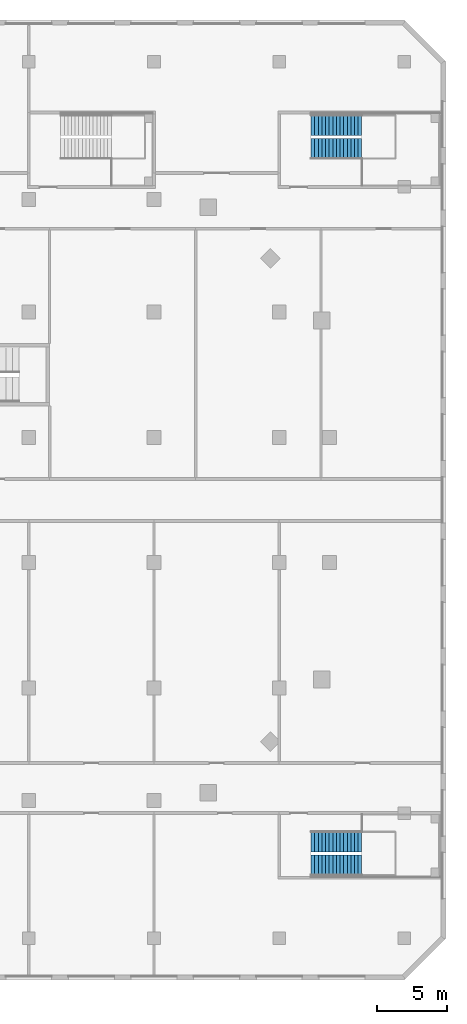
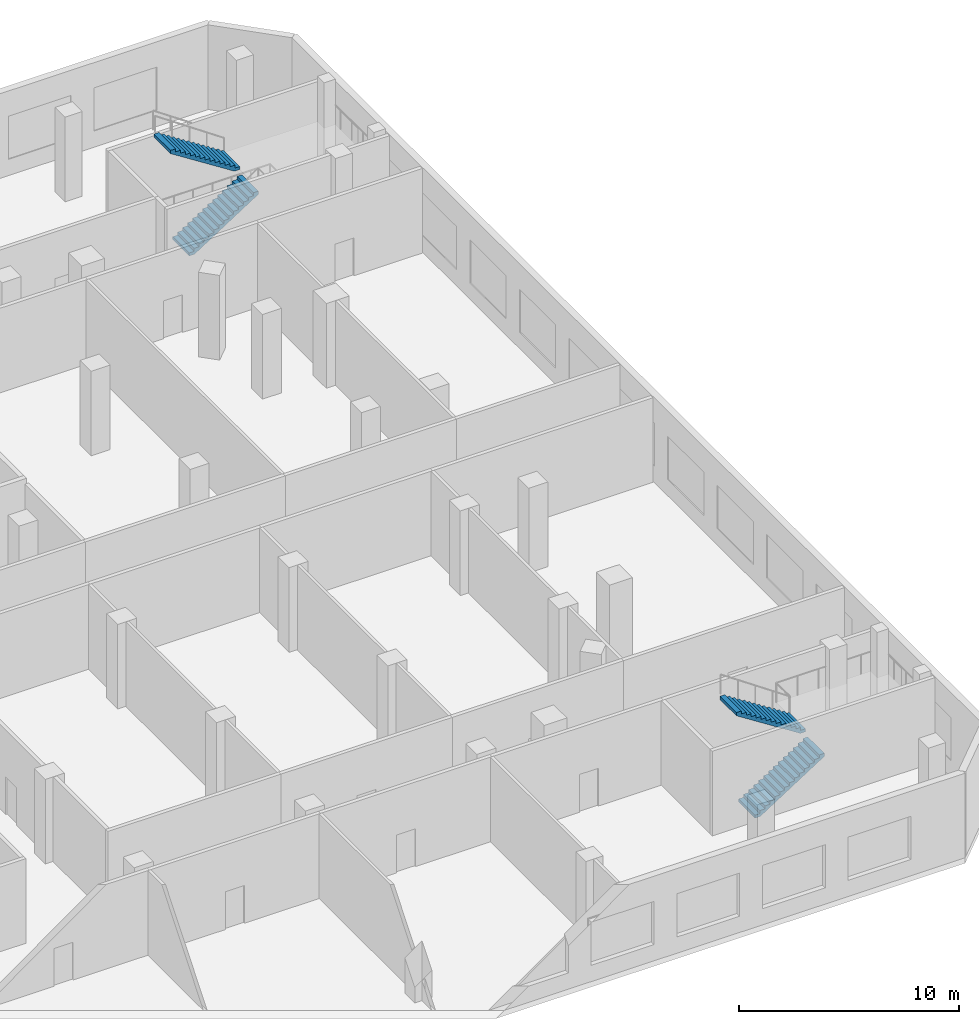
# One storey, part 16 of 21: 4 stair flights, 2 elements without a shape of their own.
"""IFC4 building model written with IfcOpenShell, lengths in metres."""

from ifc_helpers import new_model, si_unit, direction, frame, origin, place, context, subcontext, project, spatial, polyline, outline, extrude, material, type_object, element, aggregate, save


model = new_model("IFC4")

# Units and contexts
model_context = context("Model", 3, precision=1e-05, world=origin(), true_north=direction((0.0, 1.0)))
body_context = subcontext(model_context, "Body", "Model", "MODEL_VIEW")
ifc_project = project(units=[si_unit("LENGTHUNIT", "METRE"), si_unit("AREAUNIT", "SQUARE_METRE"), si_unit("VOLUMEUNIT", "CUBIC_METRE"), si_unit("PLANEANGLEUNIT", "RADIAN"), si_unit("MASSUNIT", "GRAM", prefix="KILO")], contexts=[model_context])

# Site, building, storey
site_placement = place(None, origin())
site = spatial("IfcSite", under=ifc_project, at=site_placement, CompositionType="ELEMENT")
building_placement = place(site_placement, origin())
building = spatial("IfcBuilding", under=site, at=building_placement, Name="Cinnabar Reach Civic Tower", CompositionType="ELEMENT")
storey_placement = place(building_placement, frame((0.0, 0.0, 11.0)))
storey = spatial("IfcBuildingStorey", under=building, at=storey_placement, Name="L02", CompositionType="ELEMENT", Elevation=11.0)

# Stair, stair flights
ifc_material = material(Name="Concrete C35", Category="concrete")
stair_type = type_object("IfcStairType", Name="Podium exit stair 1500", PredefinedType="HALF_TURN_STAIR", material=ifc_material)
stair_1_placement = place(storey_placement, origin())
stair_1 = element("IfcStair", 1, at=stair_1_placement, inside=storey, type_object=stair_type, Name="Stair PS4", PredefinedType="HALF_TURN_STAIR")
stair_flight_type = type_object("IfcStairFlightType", Name="Podium exit stair flight 1500", PredefinedType="STRAIGHT", material=ifc_material)
stair_flight_1_placement = place(storey_placement, frame((56.29, -3.75, 0.0), z_axis=(0.0, 0.0, 1.0), x_axis=(1.0, 0.0, 0.0)))
stair_flight_1 = element("IfcStairFlight", 2, at=stair_flight_1_placement, type_object=stair_flight_type, Name="PS4 flight 1", NumberOfRisers=15, NumberOfTreads=14, PredefinedType="STRAIGHT", RiserHeight=0.166666667, TreadLength=0.26, context=body_context, shape_type="SweptSolid", body=[
    extrude(outline(polyline([(0.0, 0.0), (0.0, 0.1667), (0.26, 0.1667), (0.26, 0.3333), (0.52, 0.3333), (0.52, 0.5), (0.78, 0.5), (0.78, 0.6667), (1.04, 0.6667), (1.04, 0.8333), (1.3, 0.8333), (1.3, 1.0), (1.56, 1.0), (1.56, 1.1667), (1.82, 1.1667), (1.82, 1.3333), (2.08, 1.3333), (2.08, 1.5), (2.34, 1.5), (2.34, 1.6667), (2.6, 1.6667), (2.6, 1.8333), (2.86, 1.8333), (2.86, 2.0), (3.12, 2.0), (3.12, 2.1667), (3.38, 2.1667), (3.38, 2.3333), (3.64, 2.3333), (3.64, 2.5), (3.64, 2.1552), (0.2779, 0.0), (0.0, 0.0)])), frame((0.0, 0.75, 0.0), z_axis=(0.0, -1.0, 0.0), x_axis=(1.0, 0.0, 0.0)), (0.0, 0.0, 1.0), 1.5),
])
stair_flight_2_placement = place(storey_placement, frame((59.93, -2.05, 2.5), z_axis=(0.0, 0.0, 1.0), x_axis=(-1.0, 0.0, 0.0)))
stair_flight_2 = element("IfcStairFlight", 3, at=stair_flight_2_placement, type_object=stair_flight_type, Name="PS4 flight 2", NumberOfRisers=15, NumberOfTreads=14, PredefinedType="STRAIGHT", RiserHeight=0.166666667, TreadLength=0.26, context=body_context, shape_type="SweptSolid", body=[
    extrude(outline(polyline([(0.0, 0.0), (0.0, 0.1667), (0.26, 0.1667), (0.26, 0.3333), (0.52, 0.3333), (0.52, 0.5), (0.78, 0.5), (0.78, 0.6667), (1.04, 0.6667), (1.04, 0.8333), (1.3, 0.8333), (1.3, 1.0), (1.56, 1.0), (1.56, 1.1667), (1.82, 1.1667), (1.82, 1.3333), (2.08, 1.3333), (2.08, 1.5), (2.34, 1.5), (2.34, 1.6667), (2.6, 1.6667), (2.6, 1.8333), (2.86, 1.8333), (2.86, 2.0), (3.12, 2.0), (3.12, 2.1667), (3.38, 2.1667), (3.38, 2.3333), (3.64, 2.3333), (3.64, 2.5), (3.64, 2.1552), (0.2779, 0.0), (0.0, 0.0)])), frame((0.0, 0.75, 0.0), z_axis=(0.0, -1.0, 0.0), x_axis=(1.0, 0.0, 0.0)), (0.0, 0.0, 1.0), 1.5),
])
aggregate(stair_1, [stair_flight_1, stair_flight_2])

stair_2_placement = place(storey_placement, origin())
stair_2 = element("IfcStair", 4, at=stair_2_placement, inside=storey, type_object=stair_type, Name="Stair PS5", PredefinedType="HALF_TURN_STAIR")
stair_flight_3_placement = place(storey_placement, frame((56.29, 47.75, 0.0), z_axis=(0.0, 0.0, 1.0), x_axis=(1.0, 0.0, 0.0)))
stair_flight_3 = element("IfcStairFlight", 5, at=stair_flight_3_placement, type_object=stair_flight_type, Name="PS5 flight 1", NumberOfRisers=15, NumberOfTreads=14, PredefinedType="STRAIGHT", RiserHeight=0.166666667, TreadLength=0.26, context=body_context, shape_type="SweptSolid", body=[
    extrude(outline(polyline([(0.0, 0.0), (0.0, 0.1667), (0.26, 0.1667), (0.26, 0.3333), (0.52, 0.3333), (0.52, 0.5), (0.78, 0.5), (0.78, 0.6667), (1.04, 0.6667), (1.04, 0.8333), (1.3, 0.8333), (1.3, 1.0), (1.56, 1.0), (1.56, 1.1667), (1.82, 1.1667), (1.82, 1.3333), (2.08, 1.3333), (2.08, 1.5), (2.34, 1.5), (2.34, 1.6667), (2.6, 1.6667), (2.6, 1.8333), (2.86, 1.8333), (2.86, 2.0), (3.12, 2.0), (3.12, 2.1667), (3.38, 2.1667), (3.38, 2.3333), (3.64, 2.3333), (3.64, 2.5), (3.64, 2.1552), (0.2779, 0.0), (0.0, 0.0)])), frame((0.0, 0.75, 0.0), z_axis=(0.0, -1.0, 0.0), x_axis=(1.0, 0.0, 0.0)), (0.0, 0.0, 1.0), 1.5),
])
stair_flight_4_placement = place(storey_placement, frame((59.93, 49.45, 2.5), z_axis=(0.0, 0.0, 1.0), x_axis=(-1.0, 0.0, 0.0)))
stair_flight_4 = element("IfcStairFlight", 6, at=stair_flight_4_placement, type_object=stair_flight_type, Name="PS5 flight 2", NumberOfRisers=15, NumberOfTreads=14, PredefinedType="STRAIGHT", RiserHeight=0.166666667, TreadLength=0.26, context=body_context, shape_type="SweptSolid", body=[
    extrude(outline(polyline([(0.0, 0.0), (0.0, 0.1667), (0.26, 0.1667), (0.26, 0.3333), (0.52, 0.3333), (0.52, 0.5), (0.78, 0.5), (0.78, 0.6667), (1.04, 0.6667), (1.04, 0.8333), (1.3, 0.8333), (1.3, 1.0), (1.56, 1.0), (1.56, 1.1667), (1.82, 1.1667), (1.82, 1.3333), (2.08, 1.3333), (2.08, 1.5), (2.34, 1.5), (2.34, 1.6667), (2.6, 1.6667), (2.6, 1.8333), (2.86, 1.8333), (2.86, 2.0), (3.12, 2.0), (3.12, 2.1667), (3.38, 2.1667), (3.38, 2.3333), (3.64, 2.3333), (3.64, 2.5), (3.64, 2.1552), (0.2779, 0.0), (0.0, 0.0)])), frame((0.0, 0.75, 0.0), z_axis=(0.0, -1.0, 0.0), x_axis=(1.0, 0.0, 0.0)), (0.0, 0.0, 1.0), 1.5),
])
aggregate(stair_2, [stair_flight_3, stair_flight_4])

save(model, "model.ifc")
